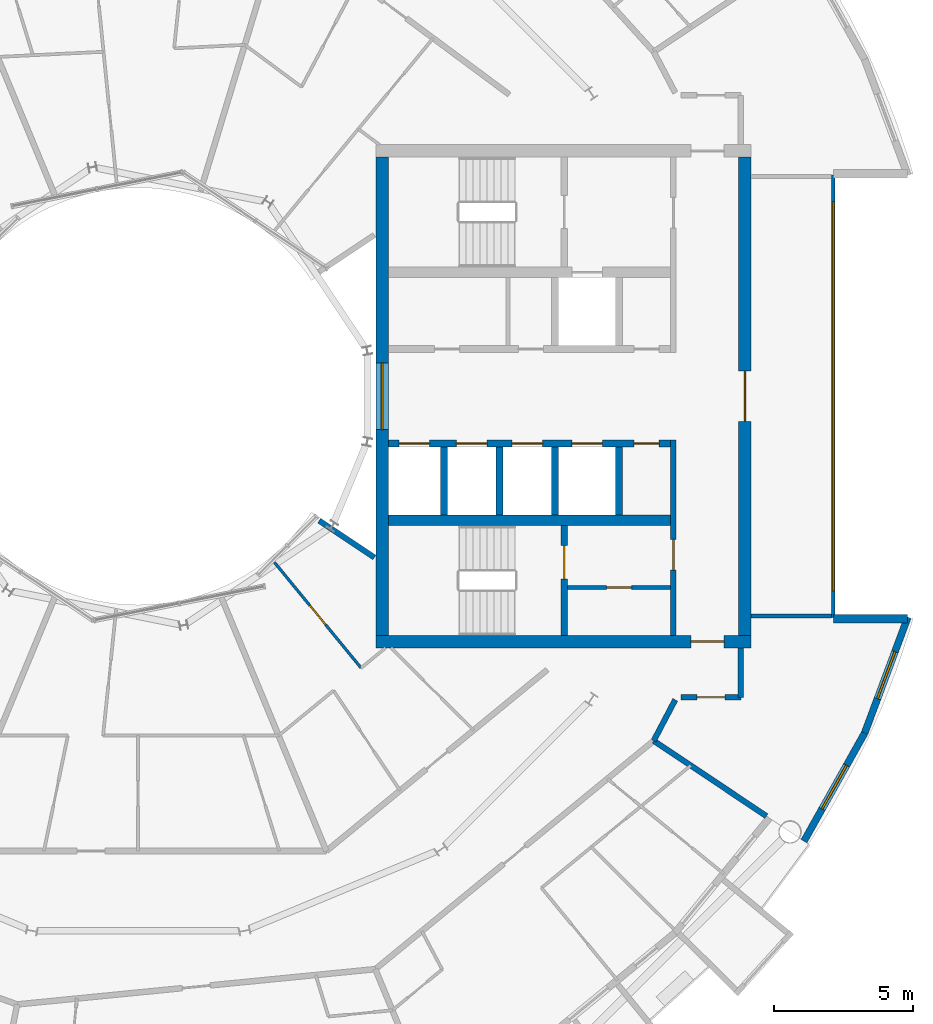
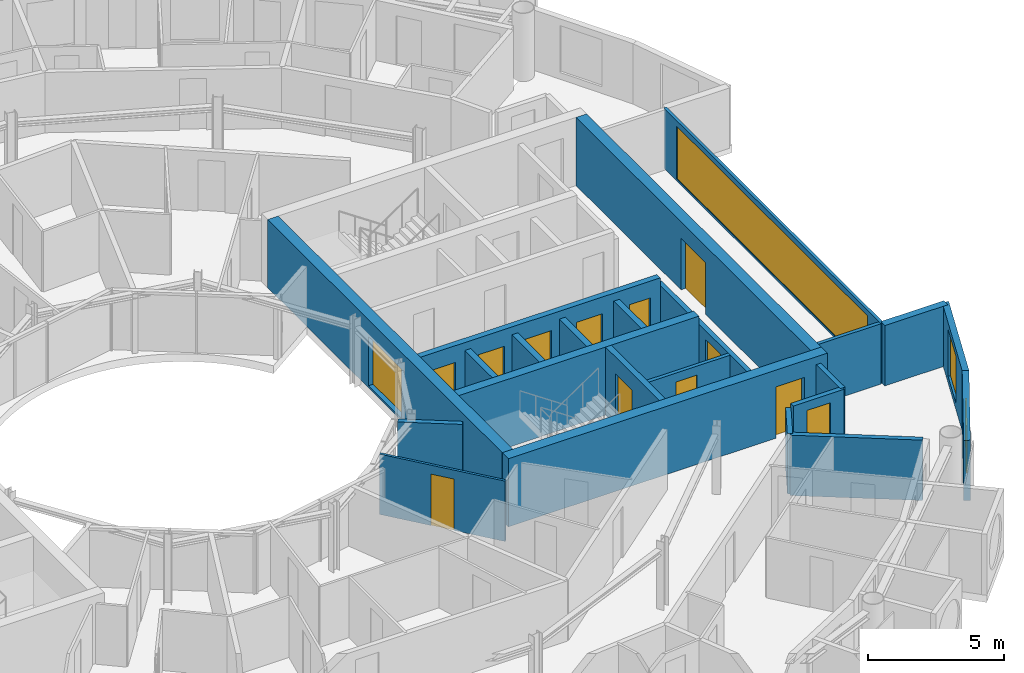
# One storey, part 19 of 29: 23 walls, 12 doors, 4 windows, 16 openings.
"""IFC4 building model written with IfcOpenShell, lengths in metres."""

from ifc_helpers import new_model, si_unit, direction, frame, frame_2d, origin, place, context, subcontext, project, spatial, rectangle, extrude, material, layer, layer_set, type_object, element, fill, save


model = new_model("IFC4")

# Units and contexts
model_context = context("Model", 3, precision=1e-05, world=origin(), true_north=direction((0.0, 1.0)))
body_context = subcontext(model_context, "Body", "Model", "MODEL_VIEW")
ifc_project = project(units=[si_unit("LENGTHUNIT", "METRE"), si_unit("AREAUNIT", "SQUARE_METRE"), si_unit("VOLUMEUNIT", "CUBIC_METRE"), si_unit("PLANEANGLEUNIT", "RADIAN"), si_unit("MASSUNIT", "GRAM", prefix="KILO")], contexts=[model_context])

# Site, building, storey
site_placement = place(None, origin())
site = spatial("IfcSite", under=ifc_project, at=site_placement, CompositionType="ELEMENT")
building_placement = place(site_placement, origin())
building = spatial("IfcBuilding", under=site, at=building_placement, Name="Maasbend Ring Residences", CompositionType="ELEMENT")
storey_placement = place(building_placement, frame((0.0, 0.0, 202.39990234375)))
storey = spatial("IfcBuildingStorey", under=building, at=storey_placement, Name="L58", CompositionType="ELEMENT", Elevation=202.39990234375)

# Wall, openings, doors
ifc_material_1 = material(Name="Concrete C50/60", Category="concrete")
ifc_layer_1 = layer(ifc_material_1, 0.25)
ifc_layer_set_1 = layer_set([ifc_layer_1], Name="Concrete C50/60")
wall_type_1 = type_object("IfcWallType", Name="CORE WALL 250 C50/60", PredefinedType="SHEAR", material=ifc_layer_set_1)
wall_1_placement = place(storey_placement, frame((19.14990234375, -1.699951171875, 0.0), z_axis=(0.0, 0.0, 1.0), x_axis=(-1.0, 0.0, 0.0)))
wall_1 = element("IfcWall", 1, at=wall_1_placement, inside=storey, type_object=wall_type_1, Name="L58 core E wall SPS", PredefinedType="SHEAR", context=body_context, shape_type="SweptSolid", body=[
    extrude(rectangle(XDim=10.14990234375, YDim=0.25, at=frame_2d((5.074951171875, 0.0))), origin(), (0.0, 0.0, 1.0), 3.050048828125),
])
opening_1_placement = place(wall_1_placement, frame((8.66259765625, 0.0, 0.0)))
opening_1 = element("IfcOpeningElement", 2, at=opening_1_placement, cuts=wall_1, Name="Opening LD-E5802", PredefinedType="OPENING", context=body_context, shape_type="SweptSolid", body=[
    extrude(rectangle(XDim=1.10009765625, YDim=2.300048828125, at=frame_2d((0.550048828125, 1.14990234375))), frame((0.0, 0.135009765625, 0.0), z_axis=(0.0, -1.0, 0.0), x_axis=(1.0, 0.0, 0.0)), (0.0, 0.0, 1.0), 0.27001953125),
])
opening_2_placement = place(wall_1_placement, frame((6.60009765625, 0.0, 0.0)))
opening_2 = element("IfcOpeningElement", 3, at=opening_2_placement, cuts=wall_1, Name="Opening LD-E5803", PredefinedType="OPENING", context=body_context, shape_type="SweptSolid", body=[
    extrude(rectangle(XDim=1.10009765625, YDim=2.300048828125, at=frame_2d((0.550048828125, 1.14990234375))), frame((0.0, 0.135009765625, 0.0), z_axis=(0.0, -1.0, 0.0), x_axis=(1.0, 0.0, 0.0)), (0.0, 0.0, 1.0), 0.27001953125),
])
opening_3_placement = place(wall_1_placement, frame((4.60009765625, 0.0, 0.0)))
opening_3 = element("IfcOpeningElement", 4, at=opening_3_placement, cuts=wall_1, Name="Opening LD-E5804", PredefinedType="OPENING", context=body_context, shape_type="SweptSolid", body=[
    extrude(rectangle(XDim=1.10009765625, YDim=2.300048828125, at=frame_2d((0.550048828125, 1.14990234375))), frame((0.0, 0.135009765625, 0.0), z_axis=(0.0, -1.0, 0.0), x_axis=(1.0, 0.0, 0.0)), (0.0, 0.0, 1.0), 0.27001953125),
])
opening_4_placement = place(wall_1_placement, frame((2.449951171875, 0.0, 0.0)))
opening_4 = element("IfcOpeningElement", 5, at=opening_4_placement, cuts=wall_1, Name="Opening LD-E5805", PredefinedType="OPENING", context=body_context, shape_type="SweptSolid", body=[
    extrude(rectangle(XDim=1.10009765625, YDim=2.300048828125, at=frame_2d((0.550048828125, 1.14990234375))), frame((0.0, 0.135009765625, 0.0), z_axis=(0.0, -1.0, 0.0), x_axis=(1.0, 0.0, 0.0)), (0.0, 0.0, 1.0), 0.27001953125),
])
opening_5_placement = place(wall_1_placement, frame((0.41259765625, 0.0, 0.0)))
opening_5 = element("IfcOpeningElement", 6, at=opening_5_placement, cuts=wall_1, Name="Opening D-E5809", PredefinedType="OPENING", context=body_context, shape_type="SweptSolid", body=[
    extrude(rectangle(XDim=0.89990234375, YDim=2.300048828125, at=frame_2d((0.449951171875, 1.14990234375))), frame((0.0, 0.135009765625, 0.0), z_axis=(0.0, -1.0, 0.0), x_axis=(1.0, 0.0, 0.0)), (0.0, 0.0, 1.0), 0.27001953125),
])
ifc_material_2 = material(Name="Stainless steel 316", Category="steel")
door_type_1 = type_object("IfcDoorType", Name="LANDING DOOR 1100 X 2300 FD60", OperationType="DOUBLE_DOOR_SLIDING", PredefinedType="DOOR", material=ifc_material_2)
door_1_placement = place(opening_1_placement, origin())
door_1 = element("IfcDoor", 7, at=door_1_placement, inside=storey, type_object=door_type_1, Name="Landing door HR-E1 L58", OperationType="DOUBLE_DOOR_SLIDING", OverallHeight=2.300048828125, OverallWidth=1.10009765625, PredefinedType="DOOR", context=body_context, shape_type="SweptSolid", body=[
    extrude(rectangle(XDim=1.10009765625, YDim=2.300048828125, at=frame_2d((0.550048828125, 1.14990234375))), frame((0.0, 0.02490234375, 0.0), z_axis=(0.0, -1.0, 0.0), x_axis=(1.0, 0.0, 0.0)), (0.0, 0.0, 1.0), 0.050048828125),
])
fill(opening_1, door_1)
door_2_placement = place(opening_2_placement, origin())
door_2 = element("IfcDoor", 8, at=door_2_placement, inside=storey, type_object=door_type_1, Name="Landing door HR-E2 L58", OperationType="DOUBLE_DOOR_SLIDING", OverallHeight=2.300048828125, OverallWidth=1.10009765625, PredefinedType="DOOR", context=body_context, shape_type="SweptSolid", body=[
    extrude(rectangle(XDim=1.10009765625, YDim=2.300048828125, at=frame_2d((0.550048828125, 1.14990234375))), frame((0.0, 0.02490234375, 0.0), z_axis=(0.0, -1.0, 0.0), x_axis=(1.0, 0.0, 0.0)), (0.0, 0.0, 1.0), 0.050048828125),
])
fill(opening_2, door_2)
door_3_placement = place(opening_3_placement, origin())
door_3 = element("IfcDoor", 9, at=door_3_placement, inside=storey, type_object=door_type_1, Name="Landing door HR-E3 L58", OperationType="DOUBLE_DOOR_SLIDING", OverallHeight=2.300048828125, OverallWidth=1.10009765625, PredefinedType="DOOR", context=body_context, shape_type="SweptSolid", body=[
    extrude(rectangle(XDim=1.10009765625, YDim=2.300048828125, at=frame_2d((0.550048828125, 1.14990234375))), frame((0.0, 0.02490234375, 0.0), z_axis=(0.0, -1.0, 0.0), x_axis=(1.0, 0.0, 0.0)), (0.0, 0.0, 1.0), 0.050048828125),
])
fill(opening_3, door_3)
door_4_placement = place(opening_4_placement, origin())
door_4 = element("IfcDoor", 10, at=door_4_placement, inside=storey, type_object=door_type_1, Name="Landing door SV-E L58", OperationType="DOUBLE_DOOR_SLIDING", OverallHeight=2.300048828125, OverallWidth=1.10009765625, PredefinedType="DOOR", context=body_context, shape_type="SweptSolid", body=[
    extrude(rectangle(XDim=1.10009765625, YDim=2.300048828125, at=frame_2d((0.550048828125, 1.14990234375))), frame((0.0, 0.02490234375, 0.0), z_axis=(0.0, -1.0, 0.0), x_axis=(1.0, 0.0, 0.0)), (0.0, 0.0, 1.0), 0.050048828125),
])
fill(opening_4, door_4)
ifc_material_3 = material(Name="Steel, powder coated", Category="steel")
door_type_2 = type_object("IfcDoorType", Name="ROOM DOOR 900 X 2300 FD30S", OperationType="NOTDEFINED", PredefinedType="DOOR", material=ifc_material_3)
door_5_placement = place(opening_5_placement, origin())
door_5 = element("IfcDoor", 11, at=door_5_placement, inside=storey, type_object=door_type_2, Name="Room door L58", OperationType="SINGLE_SWING_RIGHT", OverallHeight=2.300048828125, OverallWidth=0.89990234375, PredefinedType="DOOR", context=body_context, shape_type="SweptSolid", body=[
    extrude(rectangle(XDim=0.89990234375, YDim=2.300048828125, at=frame_2d((0.449951171875, 1.14990234375))), frame((0.0, 0.02490234375, 0.0), z_axis=(0.0, -1.0, 0.0), x_axis=(1.0, 0.0, 0.0)), (0.0, 0.0, 1.0), 0.050048828125),
])
fill(opening_5, door_5)

# Wall, opening, door
wall_2_placement = place(storey_placement, frame((15.324951171875, -8.60009765625, 0.0), z_axis=(0.0, 0.0, 1.0), x_axis=(0.0, 1.0, 0.0)))
wall_2 = element("IfcWall", 12, at=wall_2_placement, inside=storey, type_object=wall_type_1, Name="L58 core E wall STES", PredefinedType="SHEAR", context=body_context, shape_type="SweptSolid", body=[
    extrude(rectangle(XDim=3.9501953125, YDim=0.25, at=frame_2d((1.97509765625, 0.0))), origin(), (0.0, 0.0, 1.0), 3.050048828125),
])
opening_6_placement = place(wall_2_placement, frame((2.02490234375, 0.0, 0.0)))
opening_6 = element("IfcOpeningElement", 13, at=opening_6_placement, cuts=wall_2, Name="Opening D-E5812", PredefinedType="OPENING", context=body_context, shape_type="SweptSolid", body=[
    extrude(rectangle(XDim=1.199951171875, YDim=2.300048828125, at=frame_2d((0.60009765625, 1.14990234375))), frame((0.0, 0.135009765625, 0.0), z_axis=(0.0, -1.0, 0.0), x_axis=(1.0, 0.0, 0.0)), (0.0, 0.0, 1.0), 0.27001953125),
])
ifc_material_4 = material(Name="Steel, powder coated", Category="steel")
door_type_3 = type_object("IfcDoorType", Name="STAIR DOOR 1200 X 2300 FD60", OperationType="NOTDEFINED", PredefinedType="DOOR", material=ifc_material_4)
door_6_placement = place(opening_6_placement, origin())
door_6 = element("IfcDoor", 14, at=door_6_placement, inside=storey, type_object=door_type_3, Name="Stair door ST-E L58", OperationType="SINGLE_SWING_LEFT", OverallHeight=2.300048828125, OverallWidth=1.199951171875, PredefinedType="DOOR", context=body_context, shape_type="SweptSolid", body=[
    extrude(rectangle(XDim=1.199951171875, YDim=2.300048828125, at=frame_2d((0.60009765625, 1.14990234375))), frame((0.0, 0.02490234375, 0.0), z_axis=(0.0, -1.0, 0.0), x_axis=(1.0, 0.0, 0.0)), (0.0, 0.0, 1.0), 0.050048828125),
])
fill(opening_6, door_6)

# Wall
ifc_material_5 = material(Name="Concrete C50/60", Category="concrete")
ifc_layer_2 = layer(ifc_material_5, 0.375)
ifc_layer_set_2 = layer_set([ifc_layer_2], Name="Concrete C50/60")
wall_type_2 = type_object("IfcWallType", Name="CORE WALL 375 C50/60", PredefinedType="SHEAR", material=ifc_layer_set_2)
wall_3_placement = place(storey_placement, frame((9.0, -4.46240234375, 0.0), z_axis=(0.0, 0.0, 1.0), x_axis=(1.0, 0.0, 0.0)))
element("IfcWall", 15, at=wall_3_placement, inside=storey, type_object=wall_type_2, Name="L58 core E wall BS", PredefinedType="SHEAR", context=body_context, shape_type="SweptSolid", body=[
    extrude(rectangle(XDim=10.14990234375, YDim=0.375, at=frame_2d((5.074951171875, 0.0))), origin(), (0.0, 0.0, 1.0), 3.050048828125),
])

# Wall, opening, door
ifc_material_6 = material(Name="Concrete C50/60", Category="concrete")
ifc_layer_3 = layer(ifc_material_6, 0.449951171875)
ifc_layer_set_3 = layer_set([ifc_layer_3], Name="Concrete C50/60")
wall_type_3 = type_object("IfcWallType", Name="CORE WALL 450 C50/60", PredefinedType="SHEAR", material=ifc_layer_set_3)
wall_4_placement = place(storey_placement, frame((8.550048828125, -8.824951171875, 0.0), z_axis=(0.0, 0.0, 1.0), x_axis=(1.0, 0.0, 0.0)))
wall_4 = element("IfcWall", 16, at=wall_4_placement, inside=storey, type_object=wall_type_3, Name="L58 core E wall PS", PredefinedType="SHEAR", context=body_context, shape_type="SweptSolid", body=[
    extrude(rectangle(XDim=13.5, YDim=0.449951171875, at=frame_2d((6.75, 0.0))), origin(), (0.0, 0.0, 1.0), 3.050048828125),
])
opening_7_placement = place(wall_4_placement, frame((11.324951171875, 0.0, 0.0)))
opening_7 = element("IfcOpeningElement", 17, at=opening_7_placement, cuts=wall_4, Name="Opening D-E5816", PredefinedType="OPENING", context=body_context, shape_type="SweptSolid", body=[
    extrude(rectangle(XDim=1.199951171875, YDim=2.300048828125, at=frame_2d((0.60009765625, 1.14990234375))), frame((0.0, 0.23486328125, 0.0), z_axis=(0.0, -1.0, 0.0), x_axis=(1.0, 0.0, 0.0)), (0.0, 0.0, 1.0), 0.469970703125),
])
ifc_material_7 = material(Name="Steel, powder coated", Category="steel")
door_type_4 = type_object("IfcDoorType", Name="CORRIDOR DOOR 1200 X 2300 FD30S", OperationType="NOTDEFINED", PredefinedType="DOOR", material=ifc_material_7)
door_7_placement = place(opening_7_placement, origin())
door_7 = element("IfcDoor", 18, at=door_7_placement, inside=storey, type_object=door_type_4, Name="Corridor door L58", OperationType="SINGLE_SWING_LEFT", OverallHeight=2.300048828125, OverallWidth=1.199951171875, PredefinedType="DOOR", context=body_context, shape_type="SweptSolid", body=[
    extrude(rectangle(XDim=1.199951171875, YDim=2.300048828125, at=frame_2d((0.60009765625, 1.14990234375))), frame((0.0, 0.02490234375, 0.0), z_axis=(0.0, -1.0, 0.0), x_axis=(1.0, 0.0, 0.0)), (0.0, 0.0, 1.0), 0.050048828125),
])
fill(opening_7, door_7)

wall_5_placement = place(storey_placement, frame((21.824951171875, 8.60009765625, 0.0), z_axis=(0.0, 0.0, 1.0), x_axis=(0.0, -1.0, 0.0)))
wall_5 = element("IfcWall", 19, at=wall_5_placement, inside=storey, type_object=wall_type_3, Name="L58 core E wall POUT", PredefinedType="SHEAR", context=body_context, shape_type="SweptSolid", body=[
    extrude(rectangle(XDim=17.2001953125, YDim=0.449951171875, at=frame_2d((8.60009765625, 0.0))), origin(), (0.0, 0.0, 1.0), 3.050048828125),
])
opening_8_placement = place(wall_5_placement, frame((7.699951171875, 0.0, 0.0)))
opening_8 = element("IfcOpeningElement", 20, at=opening_8_placement, cuts=wall_5, Name="Opening D-E5817", PredefinedType="OPENING", context=body_context, shape_type="SweptSolid", body=[
    extrude(rectangle(XDim=1.800048828125, YDim=2.300048828125, at=frame_2d((0.89990234375, 1.14990234375))), frame((0.0, 0.23486328125, 0.0), z_axis=(0.0, -1.0, 0.0), x_axis=(1.0, 0.0, 0.0)), (0.0, 0.0, 1.0), 0.469970703125),
])
ifc_material_8 = material(Name="Aluminium frame, clear glass", Category="aluminium")
door_type_5 = type_object("IfcDoorType", Name="ENTRANCE DOOR 1800 X 2300 FD60", OperationType="NOTDEFINED", PredefinedType="DOOR", material=ifc_material_8)
door_8_placement = place(opening_8_placement, origin())
door_8 = element("IfcDoor", 21, at=door_8_placement, inside=storey, type_object=door_type_5, Name="Lobby glazed door L58", OperationType="SINGLE_SWING_LEFT", OverallHeight=2.300048828125, OverallWidth=1.800048828125, PredefinedType="DOOR", context=body_context, shape_type="SweptSolid", body=[
    extrude(rectangle(XDim=1.800048828125, YDim=2.300048828125, at=frame_2d((0.89990234375, 1.14990234375))), frame((0.0, 0.02490234375, 0.0), z_axis=(0.0, -1.0, 0.0), x_axis=(1.0, 0.0, 0.0)), (0.0, 0.0, 1.0), 0.050048828125),
])
fill(opening_8, door_8)

# Wall, opening, window
wall_6_placement = place(storey_placement, frame((8.77490234375, -8.60009765625, 0.0), z_axis=(0.0, 0.0, 1.0), x_axis=(0.0, 1.0, 0.0)))
wall_6 = element("IfcWall", 22, at=wall_6_placement, inside=storey, type_object=wall_type_3, Name="L58 core E wall PIN", PredefinedType="SHEAR", context=body_context, shape_type="SweptSolid", body=[
    extrude(rectangle(XDim=17.2001953125, YDim=0.449951171875, at=frame_2d((8.60009765625, 0.0))), origin(), (0.0, 0.0, 1.0), 3.050048828125),
])
opening_9_placement = place(wall_6_placement, frame((7.39990234375, 0.0, 0.10009765625)))
opening_9 = element("IfcOpeningElement", 23, at=opening_9_placement, cuts=wall_6, Name="Opening W-E5801", PredefinedType="OPENING", context=body_context, shape_type="SweptSolid", body=[
    extrude(rectangle(XDim=2.39990234375, YDim=2.199951171875, at=frame_2d((1.199951171875, 1.10009765625))), frame((0.0, 0.23486328125, 0.0), z_axis=(0.0, -1.0, 0.0), x_axis=(1.0, 0.0, 0.0)), (0.0, 0.0, 1.0), 0.469970703125),
])
ifc_material_9 = material(Name="Aluminium frame and clear glass", Category="aluminium")
window_type_1 = type_object("IfcWindowType", Name="FIXED WINDOW 2400 X 2200", PartitioningType="SINGLE_PANEL", PredefinedType="WINDOW", material=ifc_material_9)
window_1_placement = place(opening_9_placement, origin())
window_1 = element("IfcWindow", 24, at=window_1_placement, inside=storey, type_object=window_type_1, Name="Lobby window L58", OverallHeight=2.199951171875, OverallWidth=2.39990234375, PartitioningType="SINGLE_PANEL", PredefinedType="WINDOW", context=body_context, shape_type="SweptSolid", body=[
    extrude(rectangle(XDim=2.39990234375, YDim=2.199951171875, at=frame_2d((1.199951171875, 1.10009765625))), frame((0.0, 0.030029296875, 0.0), z_axis=(0.0, -1.0, 0.0), x_axis=(1.0, 0.0, 0.0)), (0.0, 0.0, 1.0), 0.06005859375),
])
fill(opening_9, window_1)

# Walls
ifc_material_10 = material(Name="Concrete C30/37", Category="concrete")
ifc_layer_4 = layer(ifc_material_10, 0.199951171875)
ifc_layer_set_4 = layer_set([ifc_layer_4], Name="Concrete C30/37")
wall_type_4 = type_object("IfcWallType", Name="CORRIDOR WALL 200 CONCRETE", PredefinedType="PARTITIONING", material=ifc_layer_set_4)
wall_7_placement = place(storey_placement, frame((18.5419921875, -12.388916015625, 0.0), z_axis=(0.0, 0.0, 1.0), x_axis=(0.465359652486, 0.885121683068, 0.0)))
element("IfcWall", 25, at=wall_7_placement, inside=storey, type_object=wall_type_4, Name="U-L58-w010", PredefinedType="PARTITIONING", context=body_context, shape_type="SweptSolid", body=[
    extrude(rectangle(XDim=1.665283203125, YDim=0.199951171875, at=frame_2d((0.83251953125, 0.0))), origin(), (0.0, 0.0, 1.0), 2.7001953125),
])
wall_8_placement = place(storey_placement, frame((21.675048828125, -10.824951171875, 0.0), z_axis=(0.0, 0.0, 1.0), x_axis=(0.0, 1.0, 0.0)))
element("IfcWall", 26, at=wall_8_placement, inside=storey, type_object=wall_type_4, Name="U-L58-w012", PredefinedType="PARTITIONING", context=body_context, shape_type="SweptSolid", body=[
    extrude(rectangle(XDim=1.77490234375, YDim=0.199951171875, at=frame_2d((0.887451171875, 0.0))), origin(), (0.0, 0.0, 1.0), 2.7001953125),
])

# Wall, opening, door
wall_9_placement = place(storey_placement, frame((19.52294921875, -10.824951171875, 0.0), z_axis=(0.0, 0.0, 1.0), x_axis=(1.0, 0.0, 0.0)))
wall_9 = element("IfcWall", 27, at=wall_9_placement, inside=storey, type_object=wall_type_4, Name="U-L58-w027", PredefinedType="PARTITIONING", context=body_context, shape_type="SweptSolid", body=[
    extrude(rectangle(XDim=2.152099609375, YDim=0.199951171875, at=frame_2d((1.076171875, 0.0))), origin(), (0.0, 0.0, 1.0), 2.7001953125),
])
opening_10_placement = place(wall_9_placement, frame((0.575927734375, 0.0, 0.0)))
opening_10 = element("IfcOpeningElement", 28, at=opening_10_placement, cuts=wall_9, Name="Opening D-5870", PredefinedType="OPENING", context=body_context, shape_type="SweptSolid", body=[
    extrude(rectangle(XDim=1.0, YDim=2.300048828125, at=frame_2d((0.5, 1.14990234375))), frame((0.0, 0.10986328125, 0.0), z_axis=(0.0, -1.0, 0.0), x_axis=(1.0, 0.0, 0.0)), (0.0, 0.0, 1.0), 0.219970703125),
])
ifc_material_11 = material(Name="Timber, painted", Category="wood")
door_type_6 = type_object("IfcDoorType", Name="ROOM DOOR 1000 X 2300", OperationType="NOTDEFINED", PredefinedType="DOOR", material=ifc_material_11)
door_9_placement = place(opening_10_placement, origin())
door_9 = element("IfcDoor", 29, at=door_9_placement, inside=storey, type_object=door_type_6, Name="D-5870", OperationType="SINGLE_SWING_LEFT", OverallHeight=2.300048828125, OverallWidth=1.0, PredefinedType="DOOR", context=body_context, shape_type="SweptSolid", body=[
    extrude(rectangle(XDim=1.0, YDim=2.300048828125, at=frame_2d((0.5, 1.14990234375))), frame((0.0, 0.02490234375, 0.0), z_axis=(0.0, -1.0, 0.0), x_axis=(1.0, 0.0, 0.0)), (0.0, 0.0, 1.0), 0.050048828125),
])
fill(opening_10, door_9)

# Wall, opening, window
ifc_material_12 = material(Name="Aluminium clad insulated panel", Category="aluminium")
ifc_layer_5 = layer(ifc_material_12, 0.25)
ifc_layer_set_5 = layer_set([ifc_layer_5], Name="EW-HORN")
wall_type_5 = type_object("IfcWallType", Name="EW-HORN", PredefinedType="SOLIDWALL", material=ifc_layer_set_5)
wall_10_placement = place(storey_placement, frame((23.946044921875, -16.0, 0.0), z_axis=(0.0, 0.0, 1.0), x_axis=(0.489696356642, 0.871893042919, 0.0)))
wall_10 = element("IfcWall", 30, at=wall_10_placement, inside=storey, type_object=wall_type_5, Name="Horn wall 2.1", PredefinedType="SOLIDWALL", context=body_context, shape_type="SweptSolid", body=[
    extrude(rectangle(XDim=4.45361328125, YDim=0.25, at=frame_2d((2.226806640625, 0.0))), origin(), (0.0, 0.0, 1.0), 2.7001953125),
])
opening_11_placement = place(wall_10_placement, frame((1.32666015625, 0.0, 0.300048828125)))
opening_11 = element("IfcOpeningElement", 31, at=opening_11_placement, cuts=wall_10, Name="Opening W-BX", PredefinedType="OPENING", context=body_context, shape_type="SweptSolid", body=[
    extrude(rectangle(XDim=1.800048828125, YDim=2.10009765625, at=frame_2d((0.89990234375, 1.050048828125))), frame((0.0, 0.135009765625, 0.0), z_axis=(0.0, -1.0, 0.0), x_axis=(1.0, 0.0, 0.0)), (0.0, 0.0, 1.0), 0.27001953125),
])
ifc_material_13 = material(Name="Aluminium and clear glass", Category="aluminium")
window_type_2 = type_object("IfcWindowType", Name="W-BX", PartitioningType="DOUBLE_PANEL_VERTICAL", PredefinedType="WINDOW", material=ifc_material_13)
window_2_placement = place(opening_11_placement, origin())
window_2 = element("IfcWindow", 32, at=window_2_placement, inside=storey, type_object=window_type_2, Name="Horn window 2.1", OverallHeight=2.10009765625, OverallWidth=1.800048828125, PartitioningType="SINGLE_PANEL", PredefinedType="WINDOW", context=body_context, shape_type="SweptSolid", body=[
    extrude(rectangle(XDim=1.800048828125, YDim=2.10009765625, at=frame_2d((0.89990234375, 1.050048828125))), frame((0.0, 0.030029296875, 0.0), z_axis=(0.0, -1.0, 0.0), x_axis=(1.0, 0.0, 0.0)), (0.0, 0.0, 1.0), 0.06005859375),
])
fill(opening_11, window_2)

wall_11_placement = place(storey_placement, frame((26.126953125, -12.116943359375, 0.0), z_axis=(0.0, 0.0, 1.0), x_axis=(0.349247811493, 0.937030397675, 0.0)))
wall_11 = element("IfcWall", 33, at=wall_11_placement, inside=storey, type_object=wall_type_5, Name="Horn wall 2.2", PredefinedType="SOLIDWALL", context=body_context, shape_type="SweptSolid", body=[
    extrude(rectangle(XDim=4.4521484375, YDim=0.25, at=frame_2d((2.22607421875, 0.0))), origin(), (0.0, 0.0, 1.0), 2.7001953125),
])
opening_12_placement = place(wall_11_placement, frame((1.32666015625, 0.0, 0.300048828125)))
opening_12 = element("IfcOpeningElement", 34, at=opening_12_placement, cuts=wall_11, Name="Opening W-BX", PredefinedType="OPENING", context=body_context, shape_type="SweptSolid", body=[
    extrude(rectangle(XDim=1.800048828125, YDim=2.10009765625, at=frame_2d((0.89990234375, 1.050048828125))), frame((0.0, 0.135009765625, 0.0), z_axis=(0.0, -1.0, 0.0), x_axis=(1.0, 0.0, 0.0)), (0.0, 0.0, 1.0), 0.27001953125),
])
window_3_placement = place(opening_12_placement, origin())
window_3 = element("IfcWindow", 35, at=window_3_placement, inside=storey, type_object=window_type_2, Name="Horn window 2.2", OverallHeight=2.10009765625, OverallWidth=1.800048828125, PartitioningType="SINGLE_PANEL", PredefinedType="WINDOW", context=body_context, shape_type="SweptSolid", body=[
    extrude(rectangle(XDim=1.800048828125, YDim=2.10009765625, at=frame_2d((0.89990234375, 1.050048828125))), frame((0.0, 0.030029296875, 0.0), z_axis=(0.0, -1.0, 0.0), x_axis=(1.0, 0.0, 0.0)), (0.0, 0.0, 1.0), 0.06005859375),
])
fill(opening_12, window_3)

# Wall
ifc_material_14 = material(Name="Aluminium clad insulated panel", Category="aluminium")
ifc_layer_6 = layer(ifc_material_14, 0.300048828125)
ifc_layer_set_6 = layer_set([ifc_layer_6], Name="EW-RET")
wall_type_6 = type_object("IfcWallType", Name="EW-RET", PredefinedType="SOLIDWALL", material=ifc_layer_set_6)
wall_12_placement = place(storey_placement, frame((25.0, -8.0, 0.0), z_axis=(0.0, 0.0, 1.0), x_axis=(1.0, 0.0, 0.0)))
element("IfcWall", 36, at=wall_12_placement, inside=storey, type_object=wall_type_6, Name="Notch return wall east south", PredefinedType="SOLIDWALL", context=body_context, shape_type="SweptSolid", body=[
    extrude(rectangle(XDim=2.6669921875, YDim=0.300048828125, at=frame_2d((1.33349609375, 0.0))), origin(), (0.0, 0.0, 1.0), 2.7001953125),
])

# Wall, opening, window
ifc_material_15 = material(Name="Aluminium frame and clear glass", Category="aluminium")
ifc_layer_7 = layer(ifc_material_15, 0.1201171875)
ifc_layer_set_7 = layer_set([ifc_layer_7], Name="GLAZED SCREEN WALL 120 EI 60")
wall_type_7 = type_object("IfcWallType", Name="GLAZED SCREEN WALL 120 EI 60", PredefinedType="PARTITIONING", material=ifc_layer_set_7)
wall_13_placement = place(storey_placement, frame((25.0, -7.949951171875, 0.0), z_axis=(0.0, 0.0, 1.0), x_axis=(0.0, 1.0, 0.0)))
wall_13 = element("IfcWall", 37, at=wall_13_placement, inside=storey, type_object=wall_type_7, Name="L58 core E wall FACE", PredefinedType="PARTITIONING", context=body_context, shape_type="SweptSolid", body=[
    extrude(rectangle(XDim=15.89990234375, YDim=0.1201171875, at=frame_2d((7.949951171875, 0.0))), origin(), (0.0, 0.0, 1.0), 2.7001953125),
])
opening_13_placement = place(wall_13_placement, frame((0.949951171875, 0.0, 0.10009765625)))
opening_13 = element("IfcOpeningElement", 38, at=opening_13_placement, cuts=wall_13, Name="Opening W-E5802", PredefinedType="OPENING", context=body_context, shape_type="SweptSolid", body=[
    extrude(rectangle(XDim=14.0, YDim=2.35009765625, at=frame_2d((7.0, 1.175048828125))), frame((0.0, 0.070068359375, 0.0), z_axis=(0.0, -1.0, 0.0), x_axis=(1.0, 0.0, 0.0)), (0.0, 0.0, 1.0), 0.14013671875),
])
ifc_material_16 = material(Name="Aluminium frame and clear glass", Category="aluminium")
window_type_3 = type_object("IfcWindowType", Name="FIXED WINDOW 14000 X 2350", PartitioningType="SINGLE_PANEL", PredefinedType="WINDOW", material=ifc_material_16)
window_4_placement = place(opening_13_placement, origin())
window_4 = element("IfcWindow", 39, at=window_4_placement, inside=storey, type_object=window_type_3, Name="Lobby window L58", OverallHeight=2.35009765625, OverallWidth=14.0, PartitioningType="SINGLE_PANEL", PredefinedType="WINDOW", context=body_context, shape_type="SweptSolid", body=[
    extrude(rectangle(XDim=14.0, YDim=2.35009765625, at=frame_2d((7.0, 1.175048828125))), frame((0.0, 0.030029296875, 0.0), z_axis=(0.0, -1.0, 0.0), x_axis=(1.0, 0.0, 0.0)), (0.0, 0.0, 1.0), 0.06005859375),
])
fill(opening_13, window_4)

# Wall, opening, door
ifc_material_17 = material(Name="Gypsum board on steel studs", Category="steel")
ifc_layer_8 = layer(ifc_material_17, 0.10009765625)
ifc_layer_set_8 = layer_set([ifc_layer_8], Name="PARTITION 100 GYPSUM")
wall_type_8 = type_object("IfcWallType", Name="PARTITION 100 GYPSUM", PredefinedType="PARTITIONING", material=ifc_layer_set_8)
wall_14_placement = place(storey_placement, frame((4.89794921875, -5.968017578125, 0.0), z_axis=(0.0, 0.0, 1.0), x_axis=(0.634401778971, -0.773003481776, 0.0)))
wall_14 = element("IfcWall", 40, at=wall_14_placement, inside=storey, type_object=wall_type_8, Name="U-L58-w071", PredefinedType="PARTITIONING", context=body_context, shape_type="SweptSolid", body=[
    extrude(rectangle(XDim=4.919677734375, YDim=0.10009765625, at=frame_2d((2.4599609375, 0.0))), origin(), (0.0, 0.0, 1.0), 2.7001953125),
])
opening_14_placement = place(wall_14_placement, frame((2.010009765625, 0.0, 0.0)))
opening_14 = element("IfcOpeningElement", 41, at=opening_14_placement, cuts=wall_14, Name="Opening D-5867", PredefinedType="OPENING", context=body_context, shape_type="SweptSolid", body=[
    extrude(rectangle(XDim=0.89990234375, YDim=2.300048828125, at=frame_2d((0.449951171875, 1.14990234375))), frame((0.0, 0.06005859375, 0.0), z_axis=(0.0, -1.0, 0.0), x_axis=(1.0, 0.0, 0.0)), (0.0, 0.0, 1.0), 0.1201171875),
])
ifc_material_18 = material(Name="Timber, painted", Category="wood")
door_type_7 = type_object("IfcDoorType", Name="INTERNAL DOOR 900 X 2300", OperationType="NOTDEFINED", PredefinedType="DOOR", material=ifc_material_18)
door_10_placement = place(opening_14_placement, origin())
door_10 = element("IfcDoor", 42, at=door_10_placement, inside=storey, type_object=door_type_7, Name="D-5867", OperationType="SINGLE_SWING_RIGHT", OverallHeight=2.300048828125, OverallWidth=0.89990234375, PredefinedType="DOOR", context=body_context, shape_type="SweptSolid", body=[
    extrude(rectangle(XDim=0.89990234375, YDim=2.300048828125, at=frame_2d((0.449951171875, 1.14990234375))), frame((0.0, 0.02490234375, 0.0), z_axis=(0.0, -1.0, 0.0), x_axis=(1.0, 0.0, 0.0)), (0.0, 0.0, 1.0), 0.050048828125),
])
fill(opening_14, door_10)

ifc_material_19 = material(Name="Gypsum board on steel studs", Category="steel")
ifc_layer_9 = layer(ifc_material_19, 0.14990234375)
ifc_layer_set_9 = layer_set([ifc_layer_9], Name="PARTITION 150 EI 60")
wall_type_9 = type_object("IfcWallType", Name="PARTITION 150 EI 60", PredefinedType="PARTITIONING", material=ifc_layer_set_9)
wall_15_placement = place(storey_placement, frame((15.449951171875, -6.875, 0.0), z_axis=(0.0, 0.0, 1.0), x_axis=(1.0, 0.0, 0.0)))
wall_15 = element("IfcWall", 43, at=wall_15_placement, inside=storey, type_object=wall_type_9, Name="L58 core E wall RHS", PredefinedType="PARTITIONING", context=body_context, shape_type="SweptSolid", body=[
    extrude(rectangle(XDim=3.699951171875, YDim=0.14990234375, at=frame_2d((1.85009765625, 0.0))), origin(), (0.0, 0.0, 1.0), 2.7001953125),
])
opening_15_placement = place(wall_15_placement, frame((1.39990234375, 0.0, 0.0)))
opening_15 = element("IfcOpeningElement", 44, at=opening_15_placement, cuts=wall_15, Name="Opening D-E5810", PredefinedType="OPENING", context=body_context, shape_type="SweptSolid", body=[
    extrude(rectangle(XDim=0.89990234375, YDim=2.300048828125, at=frame_2d((0.449951171875, 1.14990234375))), frame((0.0, 0.0849609375, 0.0), z_axis=(0.0, -1.0, 0.0), x_axis=(1.0, 0.0, 0.0)), (0.0, 0.0, 1.0), 0.169921875),
])
ifc_material_20 = material(Name="Steel, powder coated", Category="steel")
door_type_8 = type_object("IfcDoorType", Name="RISER DOOR 900 X 2300 FD60", OperationType="NOTDEFINED", PredefinedType="DOOR", material=ifc_material_20)
door_11_placement = place(opening_15_placement, origin())
door_11 = element("IfcDoor", 45, at=door_11_placement, inside=storey, type_object=door_type_8, Name="Riser door L58", OperationType="SINGLE_SWING_LEFT", OverallHeight=2.300048828125, OverallWidth=0.89990234375, PredefinedType="DOOR", context=body_context, shape_type="SweptSolid", body=[
    extrude(rectangle(XDim=0.89990234375, YDim=2.300048828125, at=frame_2d((0.449951171875, 1.14990234375))), frame((0.0, 0.02490234375, 0.0), z_axis=(0.0, -1.0, 0.0), x_axis=(1.0, 0.0, 0.0)), (0.0, 0.0, 1.0), 0.050048828125),
])
fill(opening_15, door_11)

# Walls
wall_16_placement = place(storey_placement, frame((22.050048828125, -7.89990234375, 0.0), z_axis=(0.0, 0.0, 1.0), x_axis=(1.0, 0.0, 0.0)))
element("IfcWall", 46, at=wall_16_placement, inside=storey, type_object=wall_type_9, Name="L58 core E wall CITS", PredefinedType="PARTITIONING", context=body_context, shape_type="SweptSolid", body=[
    extrude(rectangle(XDim=2.889892578125, YDim=0.14990234375, at=frame_2d((1.44482421875, 0.0))), origin(), (0.0, 0.0, 1.0), 2.7001953125),
])
ifc_material_21 = material(Name="Concrete C30/37", Category="concrete")
ifc_layer_10 = layer(ifc_material_21, 0.199951171875)
ifc_layer_set_10 = layer_set([ifc_layer_10], Name="Concrete C30/37")
wall_type_10 = type_object("IfcWallType", Name="PARTY WALL 200 CONCRETE", PredefinedType="PARTITIONING", material=ifc_layer_set_10)
wall_17_placement = place(storey_placement, frame((6.512939453125, -4.471923828125, 0.0), z_axis=(0.0, 0.0, 1.0), x_axis=(0.831403409976, -0.555669299026, 0.0)))
element("IfcWall", 47, at=wall_17_placement, inside=storey, type_object=wall_type_10, Name="U-L58-w029", PredefinedType="PARTITIONING", context=body_context, shape_type="SweptSolid", body=[
    extrude(rectangle(XDim=2.382568359375, YDim=0.199951171875, at=frame_2d((1.19140625, 0.0))), origin(), (0.0, 0.0, 1.0), 2.7001953125),
])
wall_18_placement = place(storey_placement, frame((18.5419921875, -12.388916015625, 0.0), z_axis=(0.0, 0.0, 1.0), x_axis=(0.831387096605, -0.55569370664, 0.0)))
element("IfcWall", 48, at=wall_18_placement, inside=storey, type_object=wall_type_10, Name="U-L58-w087", PredefinedType="PARTITIONING", context=body_context, shape_type="SweptSolid", body=[
    extrude(rectangle(XDim=4.875, YDim=0.199951171875, at=frame_2d((2.4375, 0.0))), origin(), (0.0, 0.0, 1.0), 2.7001953125),
])

# Wall, opening, door
ifc_material_22 = material(Name="Concrete C30/37", Category="concrete")
ifc_layer_11 = layer(ifc_material_22, 0.199951171875)
ifc_layer_set_11 = layer_set([ifc_layer_11], Name="Concrete C30/37")
wall_type_11 = type_object("IfcWallType", Name="SHAFT WALL 200 EI 120", PredefinedType="SOLIDWALL", material=ifc_layer_set_11)
wall_19_placement = place(storey_placement, frame((19.25, -8.60009765625, 0.0), z_axis=(0.0, 0.0, 1.0), x_axis=(0.0, 1.0, 0.0)))
wall_19 = element("IfcWall", 49, at=wall_19_placement, inside=storey, type_object=wall_type_11, Name="L58 core E wall ENDS", PredefinedType="SOLIDWALL", context=body_context, shape_type="SweptSolid", body=[
    extrude(rectangle(XDim=7.025146484375, YDim=0.199951171875, at=frame_2d((3.5126953125, 0.0))), origin(), (0.0, 0.0, 1.0), 2.7001953125),
])
opening_16_placement = place(wall_19_placement, frame((2.35009765625, 0.0, 0.0)))
opening_16 = element("IfcOpeningElement", 50, at=opening_16_placement, cuts=wall_19, Name="Opening D-E5814", PredefinedType="OPENING", context=body_context, shape_type="SweptSolid", body=[
    extrude(rectangle(XDim=1.10009765625, YDim=2.300048828125, at=frame_2d((0.550048828125, 1.14990234375))), frame((0.0, 0.10986328125, 0.0), z_axis=(0.0, -1.0, 0.0), x_axis=(1.0, 0.0, 0.0)), (0.0, 0.0, 1.0), 0.219970703125),
])
ifc_material_23 = material(Name="Steel, powder coated", Category="steel")
door_type_9 = type_object("IfcDoorType", Name="LOBBY DOOR 1100 X 2300 FD60", OperationType="NOTDEFINED", PredefinedType="DOOR", material=ifc_material_23)
door_12_placement = place(opening_16_placement, origin())
door_12 = element("IfcDoor", 51, at=door_12_placement, inside=storey, type_object=door_type_9, Name="Lobby door L58", OperationType="SINGLE_SWING_RIGHT", OverallHeight=2.300048828125, OverallWidth=1.10009765625, PredefinedType="DOOR", context=body_context, shape_type="SweptSolid", body=[
    extrude(rectangle(XDim=1.10009765625, YDim=2.300048828125, at=frame_2d((0.550048828125, 1.14990234375))), frame((0.0, 0.02490234375, 0.0), z_axis=(0.0, -1.0, 0.0), x_axis=(1.0, 0.0, 0.0)), (0.0, 0.0, 1.0), 0.050048828125),
])
fill(opening_16, door_12)

# Walls
ifc_material_24 = material(Name="Concrete C30/37", Category="concrete")
ifc_layer_12 = layer(ifc_material_24, 0.25)
ifc_layer_set_12 = layer_set([ifc_layer_12], Name="Concrete C30/37")
wall_type_12 = type_object("IfcWallType", Name="SHAFT WALL 250 EI 120", PredefinedType="SOLIDWALL", material=ifc_layer_set_12)
for number, where, z_axis, x_axis, name in (
    (52, (15.0, -1.824951171875, 0.0), (0.0, 0.0, 1.0), (0.0, -1.0, 0.0), "L58 core E wall D150S"),
    (53, (17.300048828125, -1.824951171875, 0.0), (0.0, 0.0, 1.0), (0.0, -1.0, 0.0), "L58 core E wall D173S"),
    (54, (11.0, -1.824951171875, 0.0), (0.0, 0.0, 1.0), (0.0, -1.0, 0.0), "L58 core E wall D110S"),
    (55, (13.0, -1.824951171875, 0.0), (0.0, 0.0, 1.0), (0.0, -1.0, 0.0), "L58 core E wall D130S"),
):
    element("IfcWall", number, at=place(storey_placement, frame(where, z_axis=z_axis, x_axis=x_axis)), inside=storey, type_object=wall_type_12, Name=name, PredefinedType="SOLIDWALL", context=body_context, shape_type="SweptSolid", body=[
        extrude(rectangle(XDim=2.449951171875, YDim=0.25, at=frame_2d((1.22509765625, 0.0))), origin(), (0.0, 0.0, 1.0), 2.7001953125),
    ])

save(model, "model.ifc")
